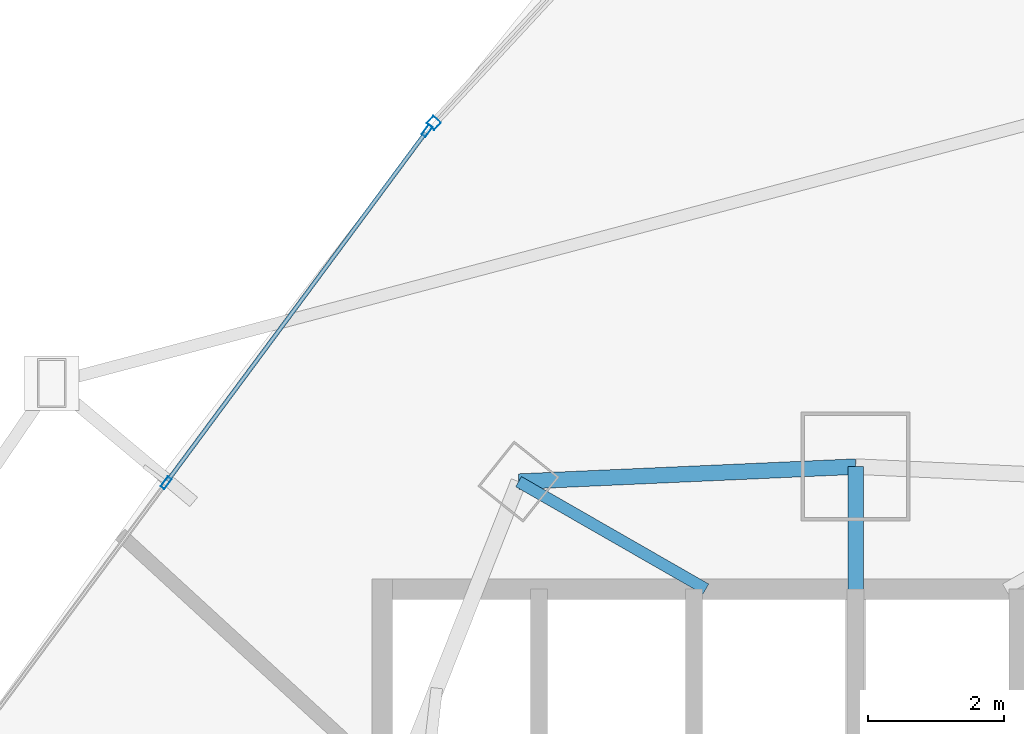
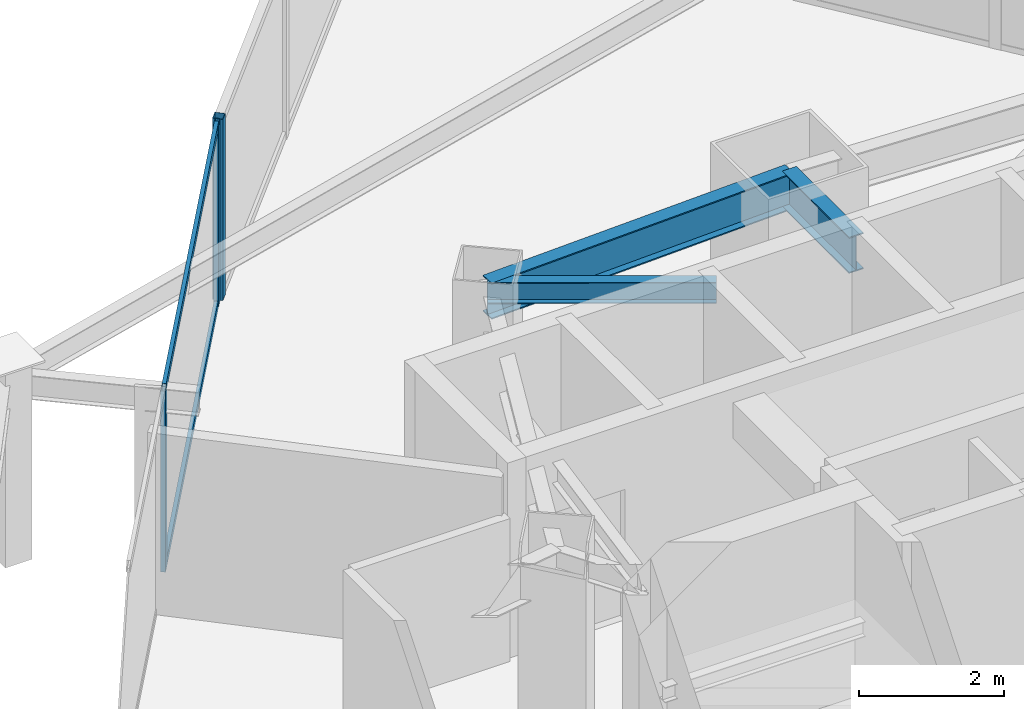
# One storey, part 23 of 35: 5 members, 3 beams, 2 elements without a shape of their own.
"""IFC4 building model written with IfcOpenShell, lengths in metres."""

import ifcopenshell
import ifcopenshell.guid

model = None  # the IFC model being written
_history = None  # IfcOwnerHistory: only IFC2X3 demands one
_inside = {}  # id of a spatial element -> (the spatial element, [elements in it])
_under = {}  # id of a project, library or spatial element -> (it, [spatial elements below it])
_declared = {}  # id of a project -> (the project, [libraries it declares])
_typed = {}  # id of a type object -> (the type object, [elements of that type])
_made_of = {}  # id of a material, layer set ... -> (it, [elements and type objects made of it])


def new_model(schema):
    """Start an empty IFC model of exactly this schema.

    Asked for "IFC4X3", IfcOpenShell would pick the latest addendum, in which some entities
    have other attributes; the version numbers below select the first issue.
    IFC2X3 requires an IfcOwnerHistory on every rooted entity: one is made here for all.
    """
    global model, _history
    if schema == "IFC4X3":
        model = ifcopenshell.file(schema_version=(4, 3, 0, 0))
    else:
        model = ifcopenshell.file(schema=schema)
    _inside.clear()
    _under.clear()
    _declared.clear()
    _typed.clear()
    _made_of.clear()
    _history = None
    if model.schema == "IFC2X3":
        org = make("IfcOrganization", Name="unknown")
        user = make(
            "IfcPersonAndOrganization",
            ThePerson=make("IfcPerson", FamilyName="unknown"),
            TheOrganization=org,
        )
        app = make(
            "IfcApplication",
            ApplicationDeveloper=org,
            Version="unknown",
            ApplicationFullName="unknown",
            ApplicationIdentifier="unknown",
        )
        _history = make(
            "IfcOwnerHistory",
            OwningUser=user,
            OwningApplication=app,
            ChangeAction="ADDED",
            CreationDate=0,
        )
    return model


def make(cls, **values):
    """One entity of the class cls with the attributes given. An attribute that is None is left unset."""
    return model.create_entity(
        cls, **{name: value for name, value in values.items() if value is not None}
    )


def rooted(cls, **values):
    """An entity with a GlobalId (a new one), such as an element, a storey or a relation."""
    return make(cls, GlobalId=ifcopenshell.guid.new(), OwnerHistory=_history, **values)


def si_unit(unit_type, name, prefix=None):
    """IfcSIUnit, for example si_unit("LENGTHUNIT", "METRE", prefix="MILLI")."""
    return make("IfcSIUnit", UnitType=unit_type, Prefix=prefix, Name=name)


def assignment(units):
    """IfcUnitAssignment: the units of a project."""
    return None if units is None else make("IfcUnitAssignment", Units=units)


def point(xyz):
    """IfcCartesianPoint."""
    return None if xyz is None else make("IfcCartesianPoint", Coordinates=xyz)


def direction(xyz):
    """IfcDirection."""
    return None if xyz is None else make("IfcDirection", DirectionRatios=xyz)


def frame(location, z_axis=None, x_axis=None):
    """IfcAxis2Placement3D, a coordinate frame: its origin and axes. An axis left out is left unset."""
    return make(
        "IfcAxis2Placement3D",
        Location=point(location),
        Axis=direction(z_axis),
        RefDirection=direction(x_axis),
    )


def frame_2d(location, x_axis=None):
    """IfcAxis2Placement2D, a coordinate frame in the plane: its origin and x axis."""
    return make(
        "IfcAxis2Placement2D", Location=point(location), RefDirection=direction(x_axis)
    )


def origin():
    """The frame at (0, 0, 0) with its axes left unset."""
    return frame((0.0, 0.0, 0.0))


def origin_2d():
    """The frame at (0, 0) in the plane with its x axis left unset."""
    return frame_2d((0.0, 0.0))


def place(relative_to, where):
    """IfcLocalPlacement: puts the frame where relative to a parent placement (None: the world)."""
    return make(
        "IfcLocalPlacement", PlacementRelTo=relative_to, RelativePlacement=where
    )


def context(
    kind, dimensions, precision=None, world=None, true_north=None, identifier=None
):
    """IfcGeometricRepresentationContext, for example the 3D "Model" context."""
    return make(
        "IfcGeometricRepresentationContext",
        ContextIdentifier=identifier,
        ContextType=kind,
        CoordinateSpaceDimension=dimensions,
        Precision=precision,
        WorldCoordinateSystem=world,
        TrueNorth=true_north,
    )


def subcontext(parent, identifier, kind, view, scale=None):
    """IfcGeometricRepresentationSubContext, for example "Body" below "Model"."""
    return make(
        "IfcGeometricRepresentationSubContext",
        ContextIdentifier=identifier,
        ContextType=kind,
        ParentContext=parent,
        TargetScale=scale,
        TargetView=view,
    )


def project(units=None, contexts=None):
    """IfcProject with its units and contexts."""
    return rooted(
        "IfcProject",
        Name="project",
        RepresentationContexts=contexts,
        UnitsInContext=assignment(units),
    )


def spatial(cls, under=None, at=None, **own):
    """A site, building, storey or space (cls), placed at a placement, below another one or the project."""
    s = rooted(cls, ObjectPlacement=at, **own)
    if under is not None:
        _under.setdefault(under.id(), (under, []))[1].append(s)
    return s


def profile(cls, at=None, kind="AREA", **sizes):
    """A parametric profile (cls). Its sizes go by their IFC names, for example OverallWidth=200.0."""
    return make(cls, ProfileType=kind, Position=at, **sizes)


def hollow_rectangle(**sizes):
    """IfcRectangleHollowProfileDef."""
    return profile("IfcRectangleHollowProfileDef", **sizes)


def i_section(**sizes):
    """IfcIShapeProfileDef."""
    return profile("IfcIShapeProfileDef", **sizes)


def extrude(swept, where, along, depth):
    """IfcExtrudedAreaSolid: the profile swept, set in the frame where, extruded along a direction by depth."""
    return make(
        "IfcExtrudedAreaSolid",
        SweptArea=swept,
        Position=where,
        ExtrudedDirection=direction(along),
        Depth=depth,
    )


def shape(context_of_items, identifier, shape_type, items):
    """IfcShapeRepresentation: the items that make up one representation, for example the "Body"."""
    return make(
        "IfcShapeRepresentation",
        ContextOfItems=context_of_items,
        RepresentationIdentifier=identifier,
        RepresentationType=shape_type,
        Items=items,
    )


def material(Name=None, Category=None):
    """IfcMaterial."""
    return make("IfcMaterial", Name=Name, Category=Category)


def layer(
    of_material, thickness, ventilated=None, Name=None, Category=None, Priority=None
):
    """IfcMaterialLayer: one layer of a wall or slab, of a material (None: an air gap)."""
    return make(
        "IfcMaterialLayer",
        Material=of_material,
        LayerThickness=thickness,
        IsVentilated=ventilated,
        Name=Name,
        Category=Category,
        Priority=Priority,
    )


def layer_set(layers, Name=None):
    """IfcMaterialLayerSet."""
    return make("IfcMaterialLayerSet", MaterialLayers=layers, LayerSetName=Name)


def material_profile(
    of_material, cross_section, Name=None, Category=None, Priority=None
):
    """IfcMaterialProfile: a cross section and its material."""
    return make(
        "IfcMaterialProfile",
        Name=Name,
        Material=of_material,
        Profile=cross_section,
        Priority=Priority,
        Category=Category,
    )


def profile_set(profiles, Name=None, composite=None):
    """IfcMaterialProfileSet."""
    return make(
        "IfcMaterialProfileSet",
        Name=Name,
        MaterialProfiles=profiles,
        CompositeProfile=composite,
    )


def made_of(thing, what):
    """Note that an element or type object is made of a material, layer set ...; save() writes the relation."""
    if what is not None:
        _made_of.setdefault(what.id(), (what, []))[1].append(thing)
    return thing


def type_object(cls, material=None, **own):
    """A type object (cls), such as IfcWallType, which elements share."""
    return made_of(rooted(cls, **own), material)


def element(
    cls,
    number,
    at=None,
    inside=None,
    cuts=None,
    type_object=None,
    material=None,
    context=None,
    identifier="Body",
    shape_type=None,
    held_by="IfcProductDefinitionShape",
    body=None,
    shapes=None,
    **own,
):
    """One element of the class cls, such as IfcWall. Its Tag is "e" and its number.

    at: its placement. inside: the storey or other place that contains it. cuts: it is an
    opening in that element (IfcRelVoidsElement). A single representation is given by context,
    identifier, shape_type and body (its items); several are given by shapes. held_by: the class
    of the entity that holds the representations. save() writes the other relations.
    """
    e = rooted(cls, Tag="e%d" % number, ObjectPlacement=at, **own)
    if body is not None:
        shapes = [shape(context, identifier, shape_type, body)]
    if shapes is not None:
        e.Representation = make(held_by, Representations=shapes)
    if inside is not None:
        _inside.setdefault(inside.id(), (inside, []))[1].append(e)
    if cuts is not None:
        rooted(
            "IfcRelVoidsElement", RelatingBuildingElement=cuts, RelatedOpeningElement=e
        )
    if type_object is not None:
        _typed.setdefault(type_object.id(), (type_object, []))[1].append(e)
    return made_of(e, material)


def aggregate(whole, parts):
    """IfcRelAggregates: a whole, such as a stair, and the parts it consists of."""
    return rooted("IfcRelAggregates", RelatingObject=whole, RelatedObjects=parts)


def save(model, path):
    """Write the relations noted so far, then the file.

    IfcRelAggregates (storeys below a building ...), IfcRelContainedInSpatialStructure (elements
    in a storey), IfcRelDefinesByType, IfcRelAssociatesMaterial and IfcRelDeclares: one each for
    every whole, place, type object, material and project.
    """
    for whole, parts in _under.values():
        aggregate(whole, parts)
    for where, things in _inside.values():
        rooted(
            "IfcRelContainedInSpatialStructure",
            RelatedElements=things,
            RelatingStructure=where,
        )
    for kind, things in _typed.values():
        rooted("IfcRelDefinesByType", RelatedObjects=things, RelatingType=kind)
    for what, things in _made_of.values():
        rooted("IfcRelAssociatesMaterial", RelatedObjects=things, RelatingMaterial=what)
    for by, libraries in _declared.values():
        rooted("IfcRelDeclares", RelatingContext=by, RelatedDefinitions=libraries)
    model.write(path)


model = new_model("IFC4")

# Units and contexts
model_context = context("Model", 3, precision=1e-05, world=origin(), true_north=direction((0.0, 1.0)))
body_context = subcontext(model_context, "Body", "Model", "MODEL_VIEW")
ifc_project = project(units=[si_unit("LENGTHUNIT", "METRE"), si_unit("AREAUNIT", "SQUARE_METRE"), si_unit("VOLUMEUNIT", "CUBIC_METRE"), si_unit("PLANEANGLEUNIT", "RADIAN"), si_unit("MASSUNIT", "GRAM", prefix="KILO")], contexts=[model_context])

# Site, building, storey
site_placement = place(None, origin())
site = spatial("IfcSite", under=ifc_project, at=site_placement, CompositionType="ELEMENT")
building_placement = place(site_placement, origin())
building = spatial("IfcBuilding", under=site, at=building_placement, Name="Orvanel Arch Residences", CompositionType="ELEMENT")
storey_placement = place(building_placement, frame((0.0, 0.0, 40.10009765625)))
storey = spatial("IfcBuildingStorey", under=building, at=storey_placement, Name="L10", CompositionType="ELEMENT", Elevation=40.10009765625)

# Beams
ifc_material_1 = material(Name="Structural steel AS/NZS 3679.1 Grade 300 (300 MPa)", Category="steel")
ifc_material_profile_1 = material_profile(ifc_material_1, i_section(OverallWidth=0.22900390625, OverallDepth=0.612060546875, WebThickness=0.011962890625, FlangeThickness=0.01953125, at=origin_2d()), Name="610UB125")
ifc_profile_set_1 = profile_set([ifc_material_profile_1], Name="Structural steel AS/NZS 3679.1 Grade 300 (300 MPa)")
beam_type_1 = type_object("IfcBeamType", Name="BG-610UB", PredefinedType="BEAM", material=ifc_profile_set_1)
beam_1_placement = place(storey_placement, frame((33.0, 39.550048828125, 2.75390625), z_axis=(0.0, 1.0, 0.0), x_axis=(-1.0, 0.0, 0.0)))
element("IfcBeam", 1, at=beam_1_placement, inside=storey, type_object=beam_type_1, Name="L10 North Radial Girder", PredefinedType="BEAM", context=body_context, shape_type="SweptSolid", body=[
    extrude(i_section(OverallWidth=0.22900390625, OverallDepth=0.612060546875, WebThickness=0.011962890625, FlangeThickness=0.01953125, at=origin_2d()), origin(), (0.0, 0.0, 1.0), 1.847900390625),
])
ifc_material_profile_2 = material_profile(ifc_material_1, i_section(OverallWidth=0.1708984375, OverallDepth=0.35595703125, WebThickness=0.00732421875, FlangeThickness=0.011474609375, at=origin_2d()), Name="360UB50.7")
ifc_profile_set_2 = profile_set([ifc_material_profile_2], Name="Structural steel AS/NZS 3679.1 Grade 300 (300 MPa)")
beam_type_2 = type_object("IfcBeamType", Name="BJ-360UB", PredefinedType="JOIST", material=ifc_profile_set_2)
beam_2_placement = place(storey_placement, frame((30.800048828125, 39.60009765625, 2.8818359375), z_axis=(-0.86736513383, 0.497672306458, 0.0), x_axis=(-0.497672306458, -0.86736513383, 0.0)))
element("IfcBeam", 2, at=beam_2_placement, inside=storey, type_object=beam_type_2, Name="L10 MNW Wing Floor Joist", PredefinedType="JOIST", context=body_context, shape_type="SweptSolid", body=[
    extrude(i_section(OverallWidth=0.1708984375, OverallDepth=0.35595703125, WebThickness=0.00732421875, FlangeThickness=0.011474609375, at=origin_2d()), origin(), (0.0, 0.0, 1.0), 3.17041015625),
])

# Curtain wall, member
ifc_material_2 = material(Name="Bronze-anodised aluminium AA6063-T6", Category="aluminium")
ifc_layer_1 = layer(ifc_material_2, 0.18994140625)
ifc_layer_set_1 = layer_set([ifc_layer_1], Name="Bronze-anodised aluminium AA6063-T6")
curtain_wall_type_1 = type_object("IfcCurtainWallType", Name="CW5-CRN-SYS", PredefinedType="NOTDEFINED", material=ifc_layer_set_1)
curtain_wall_1_placement = place(storey_placement, origin())
curtain_wall_1 = element("IfcCurtainWall", 3, at=curtain_wall_1_placement, inside=storey, type_object=curtain_wall_type_1, Name="L10 CW5-CRN-SYS Unitised Curtain Wall", PredefinedType="NOTDEFINED")
ifc_material_profile_3 = material_profile(ifc_material_2, hollow_rectangle(XDim=0.14990234375, YDim=0.14990234375, WallThickness=0.0048828125, at=origin_2d()), Name="ALU150x150x5")
ifc_profile_set_3 = profile_set([ifc_material_profile_3], Name="Bronze-anodised aluminium AA6063-T6")
member_type_1 = type_object("IfcMemberType", Name="MUL-150x150", PredefinedType="MULLION", material=ifc_profile_set_3)
member_1_placement = place(storey_placement, frame((26.803955078125, 46.446044921875, 0.0), z_axis=(0.0, 0.0, 1.0), x_axis=(0.734004180621, -0.679144949794, 0.0)))
member_1 = element("IfcMember", 4, at=member_1_placement, type_object=member_type_1, Name="CW-S5 mullion 3", PredefinedType="MULLION", context=body_context, shape_type="SweptSolid", body=[
    extrude(hollow_rectangle(XDim=0.14990234375, YDim=0.14990234375, WallThickness=0.0048828125, at=origin_2d()), origin(), (0.0, 0.0, 1.0), 3.059814453125),
])
aggregate(curtain_wall_1, [member_1])

# Curtain wall, members
ifc_layer_2 = layer(ifc_material_2, 0.179931640625)
ifc_layer_set_2 = layer_set([ifc_layer_2], Name="Bronze-anodised aluminium AA6063-T6")
curtain_wall_type_2 = type_object("IfcCurtainWallType", Name="CW2-LOW-SYS", PredefinedType="NOTDEFINED", material=ifc_layer_set_2)
curtain_wall_2_placement = place(storey_placement, origin())
curtain_wall_2 = element("IfcCurtainWall", 5, at=curtain_wall_2_placement, inside=storey, type_object=curtain_wall_type_2, Name="L10 CW2-LOW-SYS Unitised Curtain Wall", PredefinedType="NOTDEFINED")
ifc_material_profile_4 = material_profile(ifc_material_2, hollow_rectangle(XDim=0.070068359375, YDim=0.179931640625, WallThickness=0.00439453125, at=origin_2d()), Name="ALU180x70x4.5")
ifc_profile_set_4 = profile_set([ifc_material_profile_4], Name="Bronze-anodised aluminium AA6063-T6")
member_type_2 = type_object("IfcMemberType", Name="MUL-180x70", PredefinedType="MULLION", material=ifc_profile_set_4)
member_2_placement = place(storey_placement, frame((26.7060546875, 46.331787109375, 0.0), z_axis=(0.0, 0.0, 1.0), x_axis=(0.803472332546, -0.595342095633, 0.0)))
member_2 = element("IfcMember", 6, at=member_2_placement, type_object=member_type_2, Name="CW-S2 mullion 1", PredefinedType="MULLION", context=body_context, shape_type="SweptSolid", body=[
    extrude(hollow_rectangle(XDim=0.070068359375, YDim=0.179931640625, WallThickness=0.00439453125, at=origin_2d()), origin(), (0.0, 0.0, 1.0), 3.059814453125),
])
member_3_placement = place(storey_placement, frame((22.8740234375, 41.159912109375, 0.0), z_axis=(0.0, 0.0, 1.0), x_axis=(0.803472332546, -0.595342095633, 0.0)))
member_3 = element("IfcMember", 7, at=member_3_placement, type_object=member_type_2, Name="CW-S2 mullion 2", PredefinedType="MULLION", context=body_context, shape_type="SweptSolid", body=[
    extrude(hollow_rectangle(XDim=0.070068359375, YDim=0.179931640625, WallThickness=0.00439453125, at=origin_2d()), origin(), (0.0, 0.0, 1.0), 3.059814453125),
])

# Beam
ifc_material_profile_5 = material_profile(ifc_material_1, i_section(OverallWidth=0.22900390625, OverallDepth=0.612060546875, WebThickness=0.011962890625, FlangeThickness=0.01953125, at=origin_2d()), Name="610UB125")
ifc_profile_set_5 = profile_set([ifc_material_profile_5], Name="Structural steel AS/NZS 3679.1 Grade 300 (300 MPa)")
beam_type_3 = type_object("IfcBeamType", Name="SP-610UB", PredefinedType="SPANDREL", material=ifc_profile_set_5)
beam_3_placement = place(storey_placement, frame((33.0, 41.39794921875, 2.75390625), z_axis=(-0.999014049296, -0.044395149614, 0.0), x_axis=(0.044395149614, -0.999014049296, 0.0)))
element("IfcBeam", 8, at=beam_3_placement, inside=storey, type_object=beam_type_3, Name="L10 Perimeter Spandrel Beam 17", PredefinedType="SPANDREL", context=body_context, shape_type="SweptSolid", body=[
    extrude(i_section(OverallWidth=0.22900390625, OverallDepth=0.612060546875, WebThickness=0.011962890625, FlangeThickness=0.01953125, at=origin_2d()), origin(), (0.0, 0.0, 1.0), 4.954833984375),
])

# Member
ifc_material_profile_6 = material_profile(ifc_material_2, hollow_rectangle(XDim=0.06005859375, YDim=0.135009765625, WallThickness=0.00390625, at=origin_2d()), Name="ALU135x60x4")
ifc_profile_set_6 = profile_set([ifc_material_profile_6], Name="Bronze-anodised aluminium AA6063-T6")
member_type_3 = type_object("IfcMemberType", Name="TRN-135x60", PredefinedType="USERDEFINED", material=ifc_profile_set_6)
member_4_placement = place(storey_placement, frame((26.685302734375, 46.3037109375, 0.02978515625), z_axis=(-0.595357762484, -0.803460723775, 0.0), x_axis=(0.803460723775, -0.595357762484, 0.0)))
member_4 = element("IfcMember", 9, at=member_4_placement, type_object=member_type_3, Name="CW-S2 transom 1.1", ObjectType="TRANSOM", PredefinedType="USERDEFINED", context=body_context, shape_type="SweptSolid", body=[
    extrude(hollow_rectangle(XDim=0.06005859375, YDim=0.135009765625, WallThickness=0.00390625, at=origin_2d()), origin(), (0.0, 0.0, 1.0), 6.36669921875),
])

member_5_placement = place(storey_placement, frame((26.685302734375, 46.3037109375, 3.02978515625), z_axis=(-0.595357762484, -0.803460723775, 0.0), x_axis=(0.803460723775, -0.595357762484, 0.0)))
member_5 = element("IfcMember", 10, at=member_5_placement, type_object=member_type_3, Name="CW-S2 transom 1.2", ObjectType="TRANSOM", PredefinedType="USERDEFINED", context=body_context, shape_type="SweptSolid", body=[
    extrude(hollow_rectangle(XDim=0.06005859375, YDim=0.135009765625, WallThickness=0.00390625, at=origin_2d()), origin(), (0.0, 0.0, 1.0), 6.36669921875),
])

aggregate(curtain_wall_2, [member_2, member_3, member_4, member_5])

save(model, "model.ifc")
